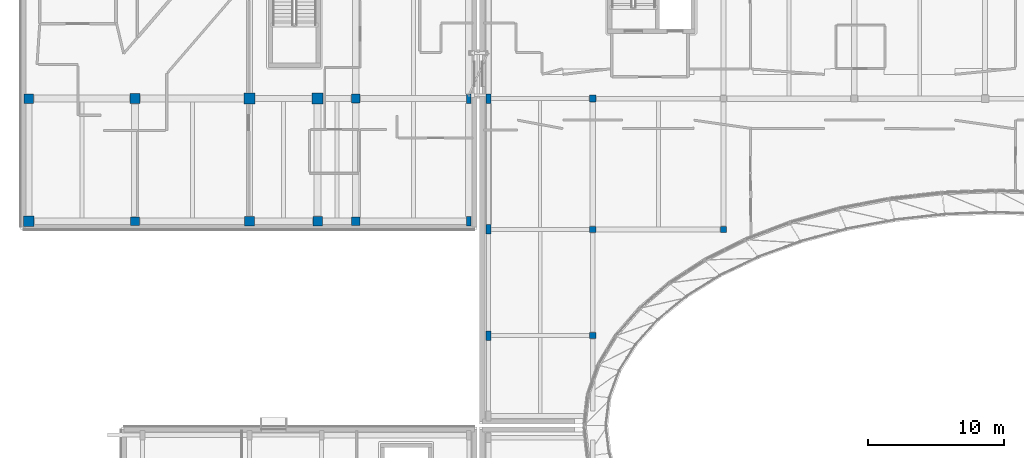
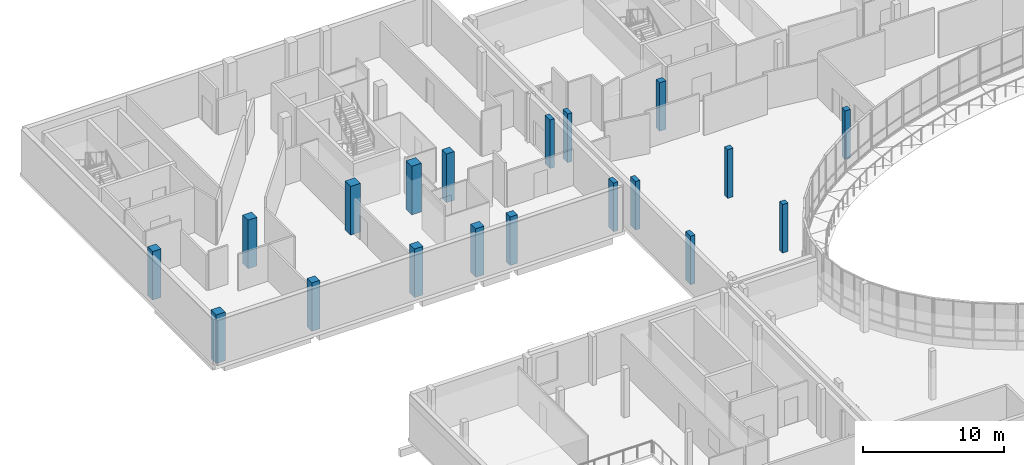
# One storey, part 5 of 73: 19 columns.
"""IFC4 building model written with IfcOpenShell, lengths in metres."""

from ifc_helpers import new_model, si_unit, direction, frame, origin, origin_2d, place, context, subcontext, project, spatial, rectangle, extrude, material, material_profile, profile_set, type_object, element, save


model = new_model("IFC4")

# Units and contexts
model_context = context("Model", 3, precision=1e-05, world=origin(), true_north=direction((0.0, 1.0)))
body_context = subcontext(model_context, "Body", "Model", "MODEL_VIEW")
ifc_project = project(units=[si_unit("LENGTHUNIT", "METRE"), si_unit("AREAUNIT", "SQUARE_METRE"), si_unit("VOLUMEUNIT", "CUBIC_METRE"), si_unit("PLANEANGLEUNIT", "RADIAN"), si_unit("MASSUNIT", "GRAM", prefix="KILO")], contexts=[model_context])

# Site, building, storey
site_placement = place(None, origin())
site = spatial("IfcSite", under=ifc_project, at=site_placement, CompositionType="ELEMENT")
building_placement = place(site_placement, origin())
building = spatial("IfcBuilding", under=site, at=building_placement, Name="Mzevani Central Library", CompositionType="ELEMENT")
storey_placement = place(building_placement, frame((0.0, 0.0, 9.60009765625)))
storey = spatial("IfcBuildingStorey", under=building, at=storey_placement, Name="L02", CompositionType="ELEMENT", Elevation=9.60009765625)

# Columns
ifc_material = material(Name="Concrete C40/50", Category="concrete")
ifc_material_profile_1 = material_profile(ifc_material, rectangle(XDim=0.449951171875, YDim=0.449951171875, at=origin_2d()), Name="RC 450x450")
ifc_profile_set_1 = profile_set([ifc_material_profile_1], Name="Concrete C40/50")
column_type_1 = type_object("IfcColumnType", Name="Column RC 450x450", PredefinedType="COLUMN", material=ifc_profile_set_1)
for number, where, z_axis, x_axis, name in (
    (1, (54.39990234375, 82.60009765625, 0.0), (0.0, 0.0, 1.0), (1.0, 0.0, 0.0), "L02 V3 Column C-03 (107)"),
    (2, (54.39990234375, 90.39990234375, 0.0), (0.0, 0.0, 1.0), (1.0, 0.0, 0.0), "L02 V3 Column C-03 (108)"),
    (3, (64.0, 90.39990234375, 0.0), (0.0, 0.0, 1.0), (1.0, 0.0, 0.0), "L02 V3 Column C-03 (110)"),
):
    element("IfcColumn", number, at=place(storey_placement, frame(where, z_axis=z_axis, x_axis=x_axis)), inside=storey, type_object=column_type_1, Name=name, PredefinedType="COLUMN", context=body_context, shape_type="SweptSolid", body=[
        extrude(rectangle(XDim=0.449951171875, YDim=0.449951171875, at=origin_2d()), origin(), (0.0, 0.0, 1.0), 4.199951171875),
    ])
ifc_material_profile_2 = material_profile(ifc_material, rectangle(XDim=0.5, YDim=0.5, at=origin_2d()), Name="RC 500x500")
ifc_profile_set_2 = profile_set([ifc_material_profile_2], Name="Concrete C40/50")
column_type_2 = type_object("IfcColumnType", Name="Column RC 500x500", PredefinedType="COLUMN", material=ifc_profile_set_2)
column_1_placement = place(storey_placement, frame((54.39990234375, 100.0, 0.0), z_axis=(0.0, 0.0, 1.0), x_axis=(1.0, 0.0, 0.0)))
element("IfcColumn", 4, at=column_1_placement, inside=storey, type_object=column_type_2, Name="L02 V3 Column C-04 (109)", PredefinedType="COLUMN", context=body_context, shape_type="SweptSolid", body=[
    extrude(rectangle(XDim=0.5, YDim=0.5, at=origin_2d()), origin(), (0.0, 0.0, 1.0), 4.199951171875),
])
ifc_material_profile_3 = material_profile(ifc_material, rectangle(XDim=0.60009765625, YDim=0.60009765625, at=origin_2d()), Name="RC 600x600")
ifc_profile_set_3 = profile_set([ifc_material_profile_3], Name="Concrete C40/50")
column_type_3 = type_object("IfcColumnType", Name="Column RC 600x600", PredefinedType="COLUMN", material=ifc_profile_set_3)
column_2_placement = place(storey_placement, frame((37.0, 91.0, 0.0), z_axis=(0.0, 0.0, 1.0), x_axis=(1.0, 0.0, 0.0)))
element("IfcColumn", 5, at=column_2_placement, inside=storey, type_object=column_type_3, Name="L02 V2 Column C-06 (90)", PredefinedType="COLUMN", context=body_context, shape_type="SweptSolid", body=[
    extrude(rectangle(XDim=0.60009765625, YDim=0.60009765625, at=origin_2d()), origin(), (0.0, 0.0, 1.0), 4.199951171875),
])
ifc_material_profile_4 = material_profile(ifc_material, rectangle(XDim=0.64990234375, YDim=0.64990234375, at=origin_2d()), Name="RC 650x650")
ifc_profile_set_4 = profile_set([ifc_material_profile_4], Name="Concrete C40/50")
column_type_4 = type_object("IfcColumnType", Name="Column RC 650x650", PredefinedType="COLUMN", material=ifc_profile_set_4)
for number, where, z_axis, x_axis, name in (
    (6, (20.800048828125, 91.0, 0.0), (0.0, 0.0, 1.0), (1.0, 0.0, 0.0), "L02 V2 Column C-07 (75)"),
    (7, (37.0, 100.0, 0.0), (0.0, 0.0, 1.0), (1.0, 0.0, 0.0), "L02 V2 Column C-07 (91)"),
):
    element("IfcColumn", number, at=place(storey_placement, frame(where, z_axis=z_axis, x_axis=x_axis)), inside=storey, type_object=column_type_4, Name=name, PredefinedType="COLUMN", context=body_context, shape_type="SweptSolid", body=[
        extrude(rectangle(XDim=0.64990234375, YDim=0.64990234375, at=origin_2d()), origin(), (0.0, 0.0, 1.0), 4.199951171875),
    ])
ifc_material_profile_5 = material_profile(ifc_material, rectangle(XDim=0.699951171875, YDim=0.699951171875, at=origin_2d()), Name="RC 700x700")
ifc_profile_set_5 = profile_set([ifc_material_profile_5], Name="Concrete C40/50")
column_type_5 = type_object("IfcColumnType", Name="Column RC 700x700", PredefinedType="COLUMN", material=ifc_profile_set_5)
for number, where, z_axis, x_axis, name in (
    (8, (13.0, 100.0, 0.0), (0.0, 0.0, 1.0), (1.0, 0.0, 0.0), "L02 V2 Column C-08 (72)"),
    (9, (29.199951171875, 91.0, 0.0), (0.0, 0.0, 1.0), (1.0, 0.0, 0.0), "L02 V2 Column C-08 (79)"),
    (10, (34.199951171875, 91.0, 0.0), (0.0, 0.0, 1.0), (1.0, 0.0, 0.0), "L02 V2 Column C-08 (85)"),
):
    element("IfcColumn", number, at=place(storey_placement, frame(where, z_axis=z_axis, x_axis=x_axis)), inside=storey, type_object=column_type_5, Name=name, PredefinedType="COLUMN", context=body_context, shape_type="SweptSolid", body=[
        extrude(rectangle(XDim=0.699951171875, YDim=0.699951171875, at=origin_2d()), origin(), (0.0, 0.0, 1.0), 4.199951171875),
    ])
ifc_material_profile_6 = material_profile(ifc_material, rectangle(XDim=0.75, YDim=0.75, at=origin_2d()), Name="RC 750x750")
ifc_profile_set_6 = profile_set([ifc_material_profile_6], Name="Concrete C40/50")
column_type_6 = type_object("IfcColumnType", Name="Column RC 750x750", PredefinedType="COLUMN", material=ifc_profile_set_6)
for number, where, z_axis, x_axis, name in (
    (11, (13.0, 91.0, 0.0), (0.0, 0.0, 1.0), (1.0, 0.0, 0.0), "L02 V2 Column C-09 (71)"),
    (12, (20.800048828125, 100.0, 0.0), (0.0, 0.0, 1.0), (1.0, 0.0, 0.0), "L02 V2 Column C-09 (76)"),
):
    element("IfcColumn", number, at=place(storey_placement, frame(where, z_axis=z_axis, x_axis=x_axis)), inside=storey, type_object=column_type_6, Name=name, PredefinedType="COLUMN", context=body_context, shape_type="SweptSolid", body=[
        extrude(rectangle(XDim=0.75, YDim=0.75, at=origin_2d()), origin(), (0.0, 0.0, 1.0), 4.199951171875),
    ])
ifc_material_profile_7 = material_profile(ifc_material, rectangle(XDim=0.800048828125, YDim=0.800048828125, at=origin_2d()), Name="RC 800x800")
ifc_profile_set_7 = profile_set([ifc_material_profile_7], Name="Concrete C40/50")
column_type_7 = type_object("IfcColumnType", Name="Column RC 800x800", PredefinedType="COLUMN", material=ifc_profile_set_7)
for number, where, z_axis, x_axis, name in (
    (13, (29.199951171875, 100.0, 0.0), (0.0, 0.0, 1.0), (1.0, 0.0, 0.0), "L02 V2 Column C-10 (80)"),
    (14, (34.199951171875, 100.0, 0.0), (0.0, 0.0, 1.0), (1.0, 0.0, 0.0), "L02 V2 Column C-10 (86)"),
):
    element("IfcColumn", number, at=place(storey_placement, frame(where, z_axis=z_axis, x_axis=x_axis)), inside=storey, type_object=column_type_7, Name=name, PredefinedType="COLUMN", context=body_context, shape_type="SweptSolid", body=[
        extrude(rectangle(XDim=0.800048828125, YDim=0.800048828125, at=origin_2d()), origin(), (0.0, 0.0, 1.0), 4.199951171875),
    ])
ifc_material_profile_8 = material_profile(ifc_material, rectangle(XDim=0.35009765625, YDim=0.699951171875, at=origin_2d()), Name="RC 350x700")
ifc_profile_set_8 = profile_set([ifc_material_profile_8], Name="Concrete C40/50")
column_type_8 = type_object("IfcColumnType", Name="Joint Twin Column RC 350x700", PredefinedType="COLUMN", material=ifc_profile_set_8)
for number, where, z_axis, x_axis, name in (
    (15, (45.300048828125, 91.0, 0.0), (0.0, 0.0, 1.0), (1.0, 0.0, 0.0), "L02 V2 Column C-18 (96)"),
    (16, (45.300048828125, 100.0, 0.0), (0.0, 0.0, 1.0), (1.0, 0.0, 0.0), "L02 V2 Column C-18 (97)"),
    (17, (46.75, 82.60009765625, 0.0), (0.0, 0.0, 1.0), (1.0, 0.0, 0.0), "L02 V3 Column C-18 (101)"),
    (18, (46.75, 90.39990234375, 0.0), (0.0, 0.0, 1.0), (1.0, 0.0, 0.0), "L02 V3 Column C-18 (102)"),
    (19, (46.75, 100.0, 0.0), (0.0, 0.0, 1.0), (1.0, 0.0, 0.0), "L02 V3 Column C-18 (103)"),
):
    element("IfcColumn", number, at=place(storey_placement, frame(where, z_axis=z_axis, x_axis=x_axis)), inside=storey, type_object=column_type_8, Name=name, PredefinedType="COLUMN", context=body_context, shape_type="SweptSolid", body=[
        extrude(rectangle(XDim=0.35009765625, YDim=0.699951171875, at=origin_2d()), origin(), (0.0, 0.0, 1.0), 4.199951171875),
    ])

save(model, "model.ifc")
